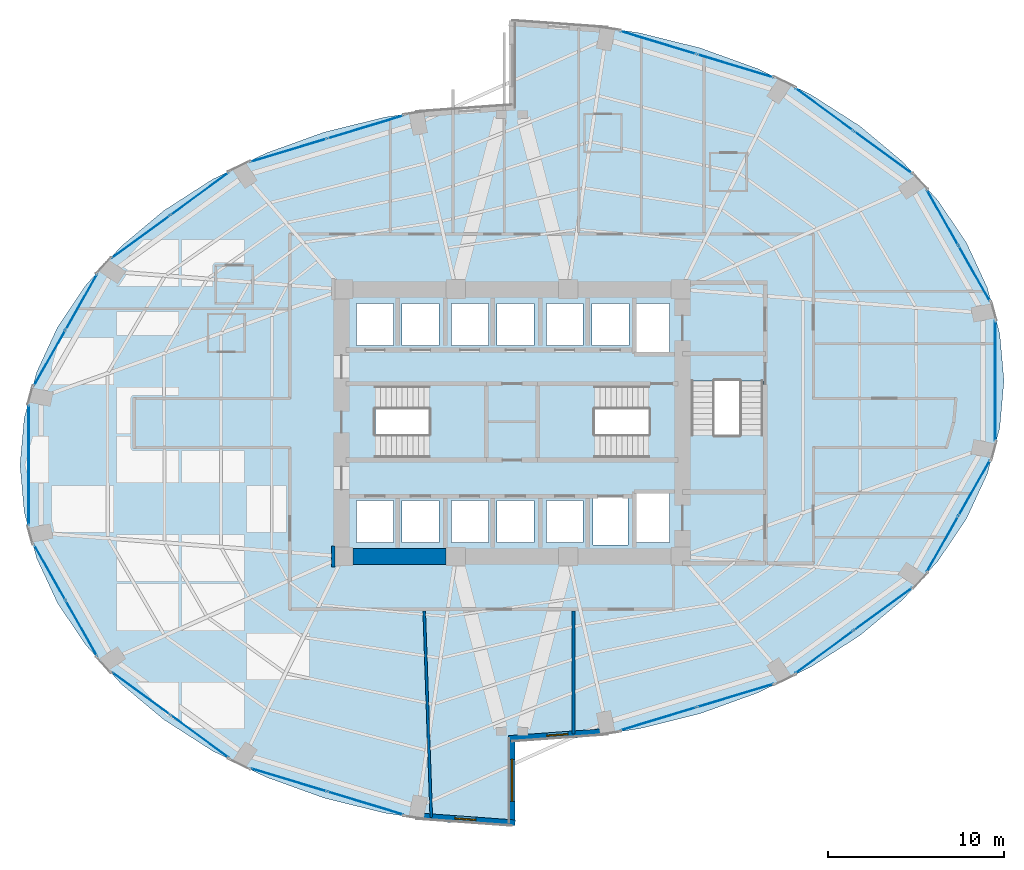
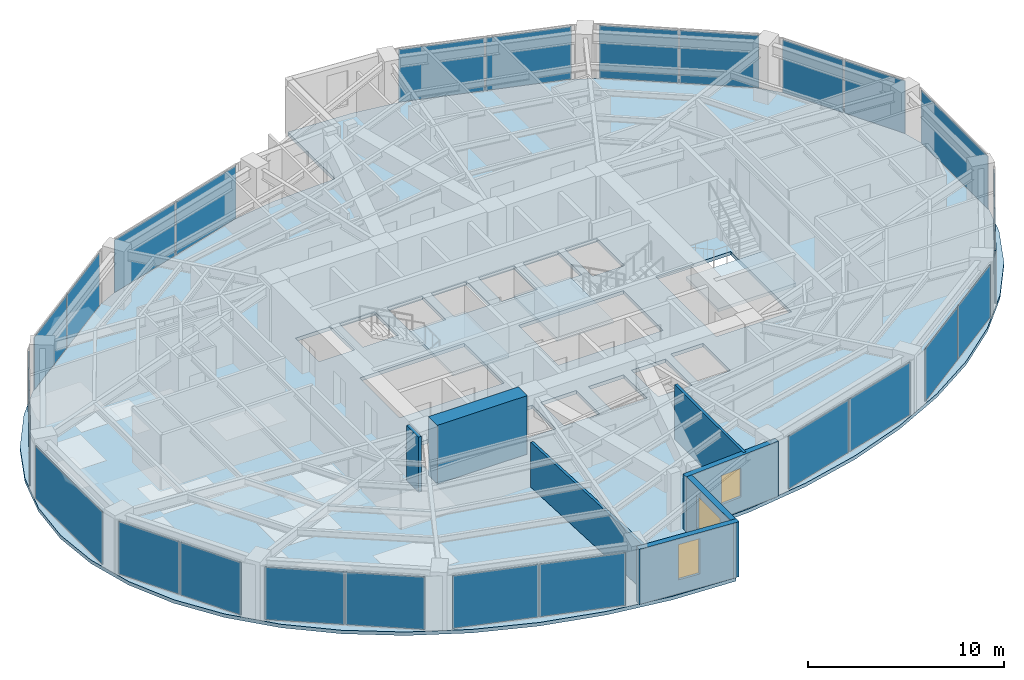
# One storey, part 19 of 24: 26 plates, 7 walls, 4 slabs, 3 windows, 3 openings, 17 elements without a shape of their own.
"""IFC4 building model written with IfcOpenShell, lengths in metres."""

from ifc_helpers import new_model, si_unit, direction, frame, frame_2d, origin, origin_2d, place, context, subcontext, project, spatial, polyline, rectangle, outline, extrude, material, layer, layer_set, type_object, element, fill, aggregate, save


model = new_model("IFC4")

# Units and contexts
model_context = context("Model", 3, precision=1e-05, world=origin(), true_north=direction((0.0, 1.0)))
body_context = subcontext(model_context, "Body", "Model", "MODEL_VIEW")
ifc_project = project(units=[si_unit("LENGTHUNIT", "METRE"), si_unit("AREAUNIT", "SQUARE_METRE"), si_unit("VOLUMEUNIT", "CUBIC_METRE"), si_unit("PLANEANGLEUNIT", "RADIAN"), si_unit("MASSUNIT", "GRAM", prefix="KILO")], contexts=[model_context])

# Site, building, storey
site_placement = place(None, origin())
site = spatial("IfcSite", under=ifc_project, at=site_placement, CompositionType="ELEMENT")
building_placement = place(site_placement, origin())
building = spatial("IfcBuilding", under=site, at=building_placement, Name="Lazwardi Medical Tower", CompositionType="ELEMENT")
storey_placement = place(building_placement, frame((0.0, 0.0, 54.384033203125)))
storey = spatial("IfcBuildingStorey", under=building, at=storey_placement, Name="L13", CompositionType="ELEMENT", Elevation=54.384033203125)

# Curtain wall, plates
ifc_material_1 = material(Name="Anodised bronze aluminium and solar control glazing", Category="aluminium")
ifc_layer_1 = layer(ifc_material_1, 0.199951171875)
ifc_layer_set_1 = layer_set([ifc_layer_1], Name="Anodised bronze aluminium and solar control glazing")
curtain_wall_type = type_object("IfcCurtainWallType", Name="CW-SYS-02", PredefinedType="NOTDEFINED", material=ifc_layer_set_1)
curtain_wall_1_placement = place(storey_placement, origin())
curtain_wall_1 = element("IfcCurtainWall", 1, at=curtain_wall_1_placement, inside=storey, type_object=curtain_wall_type, Name="L13 Unitised bronze curtain wall CW-02", PredefinedType="NOTDEFINED")
ifc_material_2 = material(Name="Low-e bronze solar control double glazing", Category="glass")
ifc_layer_2 = layer(ifc_material_2, 0.035888671875)
ifc_layer_set_2 = layer_set([ifc_layer_2], Name="Low-e bronze solar control double glazing")
plate_type = type_object("IfcPlateType", Name="PLT-GLZ-01", PredefinedType="CURTAIN_PANEL", material=ifc_layer_set_2)
plate_1_placement = place(storey_placement, frame((44.335693359375, 11.158935546875, 0.07470703125), z_axis=(0.0, 0.0, 1.0), x_axis=(0.957058247129, 0.2898956909, 0.0)))
plate_1 = element("IfcPlate", 2, at=plate_1_placement, type_object=plate_type, Name="CW-02 panel 1.1", PredefinedType="CURTAIN_PANEL", context=body_context, shape_type="SweptSolid", body=[
    extrude(rectangle(XDim=4.49658203125, YDim=0.035888671875, at=origin_2d()), origin(), (0.0, 0.0, 1.0), 3.278076171875),
])
plate_2_placement = place(storey_placement, frame((48.7109375, 12.484130859375, 0.07470703125), z_axis=(0.0, 0.0, 1.0), x_axis=(0.957058247129, 0.2898956909, 0.0)))
plate_2 = element("IfcPlate", 3, at=plate_2_placement, type_object=plate_type, Name="CW-02 panel 2.1", PredefinedType="CURTAIN_PANEL", context=body_context, shape_type="SweptSolid", body=[
    extrude(rectangle(XDim=4.49658203125, YDim=0.035888671875, at=origin_2d()), origin(), (0.0, 0.0, 1.0), 3.278076171875),
])
aggregate(curtain_wall_1, [plate_1, plate_2])

curtain_wall_2_placement = place(storey_placement, origin())
curtain_wall_2 = element("IfcCurtainWall", 4, at=curtain_wall_2_placement, inside=storey, type_object=curtain_wall_type, Name="L13 Unitised bronze curtain wall CW-02", PredefinedType="NOTDEFINED")
plate_3_placement = place(storey_placement, frame((53.771484375, 14.957275390625, 0.07470703125), z_axis=(0.0, 0.0, 1.0), x_axis=(0.807191757663, 0.590289307341, 0.0)))
plate_3 = element("IfcPlate", 5, at=plate_3_placement, type_object=plate_type, Name="CW-02 panel 1.1", PredefinedType="CURTAIN_PANEL", context=body_context, shape_type="SweptSolid", body=[
    extrude(rectangle(XDim=4.070068359375, YDim=0.035888671875, at=origin_2d()), origin(), (0.0, 0.0, 1.0), 3.278076171875),
])
plate_4_placement = place(storey_placement, frame((57.117431640625, 17.404052734375, 0.07470703125), z_axis=(0.0, 0.0, 1.0), x_axis=(0.807191757663, 0.590289307341, 0.0)))
plate_4 = element("IfcPlate", 6, at=plate_4_placement, type_object=plate_type, Name="CW-02 panel 2.1", PredefinedType="CURTAIN_PANEL", context=body_context, shape_type="SweptSolid", body=[
    extrude(rectangle(XDim=4.070068359375, YDim=0.035888671875, at=origin_2d()), origin(), (0.0, 0.0, 1.0), 3.278076171875),
])
aggregate(curtain_wall_2, [plate_3, plate_4])

curtain_wall_3_placement = place(storey_placement, origin())
curtain_wall_3 = element("IfcCurtainWall", 7, at=curtain_wall_3_placement, inside=storey, type_object=curtain_wall_type, Name="L13 Unitised bronze curtain wall CW-02", PredefinedType="NOTDEFINED")
plate_5_placement = place(storey_placement, frame((60.5009765625, 21.10791015625, 0.07470703125), z_axis=(0.0, 0.0, 1.0), x_axis=(0.492854327303, 0.870111838823, 0.0)))
plate_5 = element("IfcPlate", 8, at=plate_5_placement, type_object=plate_type, Name="CW-02 panel 1.1", PredefinedType="CURTAIN_PANEL", context=body_context, shape_type="SweptSolid", body=[
    extrude(rectangle(XDim=3.5947265625, YDim=0.035888671875, at=origin_2d()), origin(), (0.0, 0.0, 1.0), 3.278076171875),
])
plate_6_placement = place(storey_placement, frame((62.3095703125, 24.301025390625, 0.07470703125), z_axis=(0.0, 0.0, 1.0), x_axis=(0.492854327303, 0.870111838823, 0.0)))
plate_6 = element("IfcPlate", 9, at=plate_6_placement, type_object=plate_type, Name="CW-02 panel 2.1", PredefinedType="CURTAIN_PANEL", context=body_context, shape_type="SweptSolid", body=[
    extrude(rectangle(XDim=3.5947265625, YDim=0.035888671875, at=origin_2d()), origin(), (0.0, 0.0, 1.0), 3.278076171875),
])
aggregate(curtain_wall_3, [plate_5, plate_6])

# Curtain wall, plate
curtain_wall_4_placement = place(storey_placement, origin())
curtain_wall_4 = element("IfcCurtainWall", 10, at=curtain_wall_4_placement, inside=storey, type_object=curtain_wall_type, Name="L13 Unitised bronze curtain wall CW-02", PredefinedType="NOTDEFINED")
plate_7_placement = place(storey_placement, frame((63.49853515625, 30.39990234375, 0.07470703125), z_axis=(0.0, 0.0, 1.0), x_axis=(0.0, 1.0, 0.0)))
plate_7 = element("IfcPlate", 11, at=plate_7_placement, type_object=plate_type, Name="CW-02 panel 1.1", PredefinedType="CURTAIN_PANEL", context=body_context, shape_type="SweptSolid", body=[
    extrude(rectangle(XDim=6.8330078125, YDim=0.035888671875, at=origin_2d()), origin(), (0.0, 0.0, 1.0), 3.278076171875),
])
aggregate(curtain_wall_4, [plate_7])

# Curtain wall, plates
curtain_wall_5_placement = place(storey_placement, origin())
curtain_wall_5 = element("IfcCurtainWall", 12, at=curtain_wall_5_placement, inside=storey, type_object=curtain_wall_type, Name="L13 Unitised bronze curtain wall CW-02", PredefinedType="NOTDEFINED")
plate_8_placement = place(storey_placement, frame((62.3095703125, 36.498779296875, 0.07470703125), z_axis=(0.0, 0.0, 1.0), x_axis=(-0.492854327303, 0.870111838823, 0.0)))
plate_8 = element("IfcPlate", 13, at=plate_8_placement, type_object=plate_type, Name="CW-02 panel 1.1", PredefinedType="CURTAIN_PANEL", context=body_context, shape_type="SweptSolid", body=[
    extrude(rectangle(XDim=3.5947265625, YDim=0.035888671875, at=origin_2d()), origin(), (0.0, 0.0, 1.0), 3.278076171875),
])
plate_9_placement = place(storey_placement, frame((60.5009765625, 39.69189453125, 0.07470703125), z_axis=(0.0, 0.0, 1.0), x_axis=(-0.492854327303, 0.870111838823, 0.0)))
plate_9 = element("IfcPlate", 14, at=plate_9_placement, type_object=plate_type, Name="CW-02 panel 2.1", PredefinedType="CURTAIN_PANEL", context=body_context, shape_type="SweptSolid", body=[
    extrude(rectangle(XDim=3.5947265625, YDim=0.035888671875, at=origin_2d()), origin(), (0.0, 0.0, 1.0), 3.278076171875),
])
aggregate(curtain_wall_5, [plate_8, plate_9])

curtain_wall_6_placement = place(storey_placement, origin())
curtain_wall_6 = element("IfcCurtainWall", 15, at=curtain_wall_6_placement, inside=storey, type_object=curtain_wall_type, Name="L13 Unitised bronze curtain wall CW-02", PredefinedType="NOTDEFINED")
plate_10_placement = place(storey_placement, frame((57.117431640625, 43.39599609375, 0.07470703125), z_axis=(0.0, 0.0, 1.0), x_axis=(-0.807191757663, 0.590289307341, 0.0)))
plate_10 = element("IfcPlate", 16, at=plate_10_placement, type_object=plate_type, Name="CW-02 panel 1.1", PredefinedType="CURTAIN_PANEL", context=body_context, shape_type="SweptSolid", body=[
    extrude(rectangle(XDim=4.070068359375, YDim=0.035888671875, at=origin_2d()), origin(), (0.0, 0.0, 1.0), 3.278076171875),
])
plate_11_placement = place(storey_placement, frame((53.771484375, 45.8427734375, 0.07470703125), z_axis=(0.0, 0.0, 1.0), x_axis=(-0.807191757663, 0.590289307341, 0.0)))
plate_11 = element("IfcPlate", 17, at=plate_11_placement, type_object=plate_type, Name="CW-02 panel 2.1", PredefinedType="CURTAIN_PANEL", context=body_context, shape_type="SweptSolid", body=[
    extrude(rectangle(XDim=4.070068359375, YDim=0.035888671875, at=origin_2d()), origin(), (0.0, 0.0, 1.0), 3.278076171875),
])
aggregate(curtain_wall_6, [plate_10, plate_11])

curtain_wall_7_placement = place(storey_placement, origin())
curtain_wall_7 = element("IfcCurtainWall", 18, at=curtain_wall_7_placement, inside=storey, type_object=curtain_wall_type, Name="L13 Unitised bronze curtain wall CW-02", PredefinedType="NOTDEFINED")
plate_12_placement = place(storey_placement, frame((48.7109375, 48.31591796875, 0.07470703125), z_axis=(0.0, 0.0, 1.0), x_axis=(-0.957058247129, 0.2898956909, 0.0)))
plate_12 = element("IfcPlate", 19, at=plate_12_placement, type_object=plate_type, Name="CW-02 panel 1.1", PredefinedType="CURTAIN_PANEL", context=body_context, shape_type="SweptSolid", body=[
    extrude(rectangle(XDim=4.49658203125, YDim=0.035888671875, at=origin_2d()), origin(), (0.0, 0.0, 1.0), 3.278076171875),
])
plate_13_placement = place(storey_placement, frame((44.335693359375, 49.64111328125, 0.07470703125), z_axis=(0.0, 0.0, 1.0), x_axis=(-0.957058247129, 0.2898956909, 0.0)))
plate_13 = element("IfcPlate", 20, at=plate_13_placement, type_object=plate_type, Name="CW-02 panel 2.1", PredefinedType="CURTAIN_PANEL", context=body_context, shape_type="SweptSolid", body=[
    extrude(rectangle(XDim=4.49658203125, YDim=0.035888671875, at=origin_2d()), origin(), (0.0, 0.0, 1.0), 3.278076171875),
])
aggregate(curtain_wall_7, [plate_12, plate_13])

curtain_wall_8_placement = place(storey_placement, origin())
curtain_wall_8 = element("IfcCurtainWall", 21, at=curtain_wall_8_placement, inside=storey, type_object=curtain_wall_type, Name="L13 Unitised bronze curtain wall CW-02", PredefinedType="NOTDEFINED")
plate_14_placement = place(storey_placement, frame((27.664306640625, 44.841064453125, 0.07470703125), z_axis=(0.0, 0.0, 1.0), x_axis=(-0.957058247129, -0.2898956909, 0.0)))
plate_14 = element("IfcPlate", 22, at=plate_14_placement, type_object=plate_type, Name="CW-02 panel 1.1", PredefinedType="CURTAIN_PANEL", context=body_context, shape_type="SweptSolid", body=[
    extrude(rectangle(XDim=4.49658203125, YDim=0.035888671875, at=origin_2d()), origin(), (0.0, 0.0, 1.0), 3.278076171875),
])
plate_15_placement = place(storey_placement, frame((23.2890625, 43.515869140625, 0.07470703125), z_axis=(0.0, 0.0, 1.0), x_axis=(-0.957058247129, -0.2898956909, 0.0)))
plate_15 = element("IfcPlate", 23, at=plate_15_placement, type_object=plate_type, Name="CW-02 panel 2.1", PredefinedType="CURTAIN_PANEL", context=body_context, shape_type="SweptSolid", body=[
    extrude(rectangle(XDim=4.49658203125, YDim=0.035888671875, at=origin_2d()), origin(), (0.0, 0.0, 1.0), 3.278076171875),
])
aggregate(curtain_wall_8, [plate_14, plate_15])

curtain_wall_9_placement = place(storey_placement, origin())
curtain_wall_9 = element("IfcCurtainWall", 24, at=curtain_wall_9_placement, inside=storey, type_object=curtain_wall_type, Name="L13 Unitised bronze curtain wall CW-02", PredefinedType="NOTDEFINED")
plate_16_placement = place(storey_placement, frame((18.228515625, 41.042724609375, 0.07470703125), z_axis=(0.0, 0.0, 1.0), x_axis=(-0.807191757663, -0.590289307341, 0.0)))
plate_16 = element("IfcPlate", 25, at=plate_16_placement, type_object=plate_type, Name="CW-02 panel 1.1", PredefinedType="CURTAIN_PANEL", context=body_context, shape_type="SweptSolid", body=[
    extrude(rectangle(XDim=4.070068359375, YDim=0.035888671875, at=origin_2d()), origin(), (0.0, 0.0, 1.0), 3.278076171875),
])
plate_17_placement = place(storey_placement, frame((14.882568359375, 38.595947265625, 0.07470703125), z_axis=(0.0, 0.0, 1.0), x_axis=(-0.807191757663, -0.590289307341, 0.0)))
plate_17 = element("IfcPlate", 26, at=plate_17_placement, type_object=plate_type, Name="CW-02 panel 2.1", PredefinedType="CURTAIN_PANEL", context=body_context, shape_type="SweptSolid", body=[
    extrude(rectangle(XDim=4.070068359375, YDim=0.035888671875, at=origin_2d()), origin(), (0.0, 0.0, 1.0), 3.278076171875),
])
aggregate(curtain_wall_9, [plate_16, plate_17])

curtain_wall_10_placement = place(storey_placement, origin())
curtain_wall_10 = element("IfcCurtainWall", 27, at=curtain_wall_10_placement, inside=storey, type_object=curtain_wall_type, Name="L13 Unitised bronze curtain wall CW-02", PredefinedType="NOTDEFINED")
plate_18_placement = place(storey_placement, frame((11.4990234375, 34.89208984375, 0.07470703125), z_axis=(0.0, 0.0, 1.0), x_axis=(-0.492854327303, -0.870111838823, 0.0)))
plate_18 = element("IfcPlate", 28, at=plate_18_placement, type_object=plate_type, Name="CW-02 panel 1.1", PredefinedType="CURTAIN_PANEL", context=body_context, shape_type="SweptSolid", body=[
    extrude(rectangle(XDim=3.5947265625, YDim=0.035888671875, at=origin_2d()), origin(), (0.0, 0.0, 1.0), 3.278076171875),
])
plate_19_placement = place(storey_placement, frame((9.6904296875, 31.698974609375, 0.07470703125), z_axis=(0.0, 0.0, 1.0), x_axis=(-0.492854327303, -0.870111838823, 0.0)))
plate_19 = element("IfcPlate", 29, at=plate_19_placement, type_object=plate_type, Name="CW-02 panel 2.1", PredefinedType="CURTAIN_PANEL", context=body_context, shape_type="SweptSolid", body=[
    extrude(rectangle(XDim=3.5947265625, YDim=0.035888671875, at=origin_2d()), origin(), (0.0, 0.0, 1.0), 3.278076171875),
])
aggregate(curtain_wall_10, [plate_18, plate_19])

# Curtain wall, plate
curtain_wall_11_placement = place(storey_placement, origin())
curtain_wall_11 = element("IfcCurtainWall", 30, at=curtain_wall_11_placement, inside=storey, type_object=curtain_wall_type, Name="L13 Unitised bronze curtain wall CW-02", PredefinedType="NOTDEFINED")
plate_20_placement = place(storey_placement, frame((8.50146484375, 25.60009765625, 0.07470703125), z_axis=(0.0, 0.0, 1.0), x_axis=(0.0, -1.0, 0.0)))
plate_20 = element("IfcPlate", 31, at=plate_20_placement, type_object=plate_type, Name="CW-02 panel 1.1", PredefinedType="CURTAIN_PANEL", context=body_context, shape_type="SweptSolid", body=[
    extrude(rectangle(XDim=6.8330078125, YDim=0.035888671875, at=origin_2d()), origin(), (0.0, 0.0, 1.0), 3.278076171875),
])
aggregate(curtain_wall_11, [plate_20])

# Curtain wall, plates
curtain_wall_12_placement = place(storey_placement, origin())
curtain_wall_12 = element("IfcCurtainWall", 32, at=curtain_wall_12_placement, inside=storey, type_object=curtain_wall_type, Name="L13 Unitised bronze curtain wall CW-02", PredefinedType="NOTDEFINED")
plate_21_placement = place(storey_placement, frame((9.6904296875, 19.501220703125, 0.07470703125), z_axis=(0.0, 0.0, 1.0), x_axis=(0.492854327303, -0.870111838823, 0.0)))
plate_21 = element("IfcPlate", 33, at=plate_21_placement, type_object=plate_type, Name="CW-02 panel 1.1", PredefinedType="CURTAIN_PANEL", context=body_context, shape_type="SweptSolid", body=[
    extrude(rectangle(XDim=3.5947265625, YDim=0.035888671875, at=origin_2d()), origin(), (0.0, 0.0, 1.0), 3.278076171875),
])
plate_22_placement = place(storey_placement, frame((11.4990234375, 16.30810546875, 0.07470703125), z_axis=(0.0, 0.0, 1.0), x_axis=(0.492854327303, -0.870111838823, 0.0)))
plate_22 = element("IfcPlate", 34, at=plate_22_placement, type_object=plate_type, Name="CW-02 panel 2.1", PredefinedType="CURTAIN_PANEL", context=body_context, shape_type="SweptSolid", body=[
    extrude(rectangle(XDim=3.5947265625, YDim=0.035888671875, at=origin_2d()), origin(), (0.0, 0.0, 1.0), 3.278076171875),
])
aggregate(curtain_wall_12, [plate_21, plate_22])

curtain_wall_13_placement = place(storey_placement, origin())
curtain_wall_13 = element("IfcCurtainWall", 35, at=curtain_wall_13_placement, inside=storey, type_object=curtain_wall_type, Name="L13 Unitised bronze curtain wall CW-02", PredefinedType="NOTDEFINED")
plate_23_placement = place(storey_placement, frame((14.882568359375, 12.60400390625, 0.07470703125), z_axis=(0.0, 0.0, 1.0), x_axis=(0.807191757663, -0.590289307341, 0.0)))
plate_23 = element("IfcPlate", 36, at=plate_23_placement, type_object=plate_type, Name="CW-02 panel 1.1", PredefinedType="CURTAIN_PANEL", context=body_context, shape_type="SweptSolid", body=[
    extrude(rectangle(XDim=4.070068359375, YDim=0.035888671875, at=origin_2d()), origin(), (0.0, 0.0, 1.0), 3.278076171875),
])
plate_24_placement = place(storey_placement, frame((18.228515625, 10.1572265625, 0.07470703125), z_axis=(0.0, 0.0, 1.0), x_axis=(0.807191757663, -0.590289307341, 0.0)))
plate_24 = element("IfcPlate", 37, at=plate_24_placement, type_object=plate_type, Name="CW-02 panel 2.1", PredefinedType="CURTAIN_PANEL", context=body_context, shape_type="SweptSolid", body=[
    extrude(rectangle(XDim=4.070068359375, YDim=0.035888671875, at=origin_2d()), origin(), (0.0, 0.0, 1.0), 3.278076171875),
])
aggregate(curtain_wall_13, [plate_23, plate_24])

curtain_wall_14_placement = place(storey_placement, origin())
curtain_wall_14 = element("IfcCurtainWall", 38, at=curtain_wall_14_placement, inside=storey, type_object=curtain_wall_type, Name="L13 Unitised bronze curtain wall CW-02", PredefinedType="NOTDEFINED")
plate_25_placement = place(storey_placement, frame((23.2890625, 7.68408203125, 0.07470703125), z_axis=(0.0, 0.0, 1.0), x_axis=(0.957058247129, -0.2898956909, 0.0)))
plate_25 = element("IfcPlate", 39, at=plate_25_placement, type_object=plate_type, Name="CW-02 panel 1.1", PredefinedType="CURTAIN_PANEL", context=body_context, shape_type="SweptSolid", body=[
    extrude(rectangle(XDim=4.49658203125, YDim=0.035888671875, at=origin_2d()), origin(), (0.0, 0.0, 1.0), 3.278076171875),
])
plate_26_placement = place(storey_placement, frame((27.664306640625, 6.35888671875, 0.07470703125), z_axis=(0.0, 0.0, 1.0), x_axis=(0.957058247129, -0.2898956909, 0.0)))
plate_26 = element("IfcPlate", 40, at=plate_26_placement, type_object=plate_type, Name="CW-02 panel 2.1", PredefinedType="CURTAIN_PANEL", context=body_context, shape_type="SweptSolid", body=[
    extrude(rectangle(XDim=4.49658203125, YDim=0.035888671875, at=origin_2d()), origin(), (0.0, 0.0, 1.0), 3.278076171875),
])
aggregate(curtain_wall_14, [plate_25, plate_26])

# Stair, slab
ifc_material_3 = material(Name="Concrete C45/55", Category="concrete")
stair_type = type_object("IfcStairType", Name="STR-WRD", PredefinedType="HALF_TURN_STAIR", material=ifc_material_3)
stair_1_placement = place(storey_placement, origin())
stair_1 = element("IfcStair", 41, at=stair_1_placement, inside=storey, type_object=stair_type, Name="L13 Protected Exit Stair ST1", PredefinedType="HALF_TURN_STAIR")
ifc_layer_3 = layer(ifc_material_3, 0.199951171875)
ifc_layer_set_3 = layer_set([ifc_layer_3], Name="Concrete C45/55")
slab_type_1 = type_object("IfcSlabType", Name="SLB-LND-190", PredefinedType="LANDING", material=ifc_layer_set_3)
slab_1_placement = place(storey_placement, frame((0.0, 0.0, 1.6240234375)))
slab_1 = element("IfcSlab", 42, at=slab_1_placement, type_object=slab_type_1, Name="ST1 landing 1", PredefinedType="LANDING", context=body_context, shape_type="SweptSolid", body=[
    extrude(outline(polyline([(31.27490234375, 25.840087890625), (34.580078125, 25.840087890625), (34.580078125, 30.280029296875), (31.27490234375, 30.280029296875), (31.27490234375, 25.840087890625)])), origin(), (0.0, 0.0, 1.0), 0.199951171875),
])
aggregate(stair_1, [slab_1])

stair_2_placement = place(storey_placement, origin())
stair_2 = element("IfcStair", 43, at=stair_2_placement, inside=storey, type_object=stair_type, Name="L13 Protected Exit Stair ST2", PredefinedType="HALF_TURN_STAIR")
slab_2_placement = place(storey_placement, frame((0.0, 0.0, 1.6240234375)))
slab_2 = element("IfcSlab", 44, at=slab_2_placement, type_object=slab_type_1, Name="ST2 landing 1", PredefinedType="LANDING", context=body_context, shape_type="SweptSolid", body=[
    extrude(outline(polyline([(40.72509765625, 30.280029296875), (37.419921875, 30.280029296875), (37.419921875, 25.840087890625), (40.72509765625, 25.840087890625), (40.72509765625, 30.280029296875)])), origin(), (0.0, 0.0, 1.0), 0.199951171875),
])
aggregate(stair_2, [slab_2])

stair_3_placement = place(storey_placement, origin())
stair_3 = element("IfcStair", 45, at=stair_3_placement, inside=storey, type_object=stair_type, Name="L13 Protected Exit Stair ST3", PredefinedType="HALF_TURN_STAIR")
slab_3_placement = place(storey_placement, frame((0.0, 0.0, 1.6240234375)))
slab_3 = element("IfcSlab", 46, at=slab_3_placement, type_object=slab_type_1, Name="ST3 landing 1", PredefinedType="LANDING", context=body_context, shape_type="SweptSolid", body=[
    extrude(outline(polyline([(45.860107421875, 27.324951171875), (45.860107421875, 24.02001953125), (50.4599609375, 24.02001953125), (50.4599609375, 27.324951171875), (45.860107421875, 27.324951171875)])), origin(), (0.0, 0.0, 1.0), 0.199951171875),
])
aggregate(stair_3, [slab_3])

# Slab
ifc_material_4 = material(Name="Concrete C50/60", Category="concrete")
ifc_layer_4 = layer(ifc_material_4, 0.219970703125)
ifc_layer_set_4 = layer_set([ifc_layer_4], Name="Concrete C50/60")
slab_type_2 = type_object("IfcSlabType", Name="SLB-WRD-220", PredefinedType="FLOOR", material=ifc_layer_set_4)
slab_4_placement = place(storey_placement, frame((0.0, 0.0, -0.219970703125)))
element("IfcSlab", 47, at=slab_4_placement, inside=storey, type_object=slab_type_2, Name="Structural floor slab SF-03 L13", PredefinedType="FLOOR", context=body_context, shape_type="SweptSolid", body=[
    extrude(outline(polyline([(10.13134765625, 33.445068359375), (8.9541015625, 30.90576171875), (8.239501953125, 28.27587890625), (8.0, 25.60009765625), (8.239501953125, 22.92431640625), (8.9541015625, 20.294189453125), (10.13134765625, 17.7548828125), (11.751220703125, 15.35009765625), (13.7861328125, 13.120361328125), (16.200927734375, 11.104248046875), (18.95458984375, 9.336181640625), (22.0, 7.846435546875), (25.284912109375, 6.660400390625), (28.753173828125, 5.798583984375), (32.34521484375, 5.275390625), (36.0, 5.10009765625), (36.0, 9.89990234375), (39.65478515625, 10.075439453125), (43.246826171875, 10.598388671875), (46.715087890625, 11.46044921875), (50.0, 12.646484375), (53.04541015625, 14.13623046875), (55.799072265625, 15.904296875), (58.2138671875, 17.92041015625), (60.248779296875, 20.14990234375), (61.86865234375, 22.554931640625), (63.0458984375, 25.09423828125), (63.760498046875, 27.72412109375), (64.0, 30.39990234375), (63.760498046875, 33.07568359375), (63.0458984375, 35.705810546875), (61.86865234375, 38.2451171875), (60.248779296875, 40.64990234375), (58.2138671875, 42.879638671875), (55.799072265625, 44.895751953125), (53.04541015625, 46.663818359375), (50.0, 48.153564453125), (46.715087890625, 49.339599609375), (43.246826171875, 50.201416015625), (39.65478515625, 50.724609375), (36.0, 50.89990234375), (36.0, 46.10009765625), (32.34521484375, 45.924560546875), (28.753173828125, 45.401611328125), (25.284912109375, 44.53955078125), (22.0, 43.353515625), (18.95458984375, 41.86376953125), (16.200927734375, 40.095703125), (13.7861328125, 38.07958984375), (11.751220703125, 35.85009765625), (10.13134765625, 33.445068359375)]), holes=[polyline([(28.22509765625, 26.02001953125), (28.22509765625, 30.10009765625), (34.39990234375, 30.10009765625), (34.39990234375, 26.02001953125), (28.22509765625, 26.02001953125)]), polyline([(37.60009765625, 30.10009765625), (43.77490234375, 30.10009765625), (43.77490234375, 26.02001953125), (37.60009765625, 26.02001953125), (37.60009765625, 30.10009765625)]), polyline([(50.280029296875, 30.375), (50.280029296875, 24.179931640625), (45.840087890625, 24.179931640625), (45.840087890625, 30.375), (50.280029296875, 30.375)]), polyline([(29.25, 32.39990234375), (27.14990234375, 32.39990234375), (27.14990234375, 34.800048828125), (29.25, 34.800048828125), (29.25, 32.39990234375)]), polyline([(29.75, 32.39990234375), (29.75, 34.800048828125), (31.85009765625, 34.800048828125), (31.85009765625, 32.39990234375), (29.75, 32.39990234375)]), polyline([(27.14990234375, 23.60009765625), (29.25, 23.60009765625), (29.25, 21.199951171875), (27.14990234375, 21.199951171875), (27.14990234375, 23.60009765625)]), polyline([(31.85009765625, 23.60009765625), (31.85009765625, 21.199951171875), (29.75, 21.199951171875), (29.75, 23.60009765625), (31.85009765625, 23.60009765625)]), polyline([(34.64990234375, 32.39990234375), (32.550048828125, 32.39990234375), (32.550048828125, 34.800048828125), (34.64990234375, 34.800048828125), (34.64990234375, 32.39990234375)]), polyline([(35.14990234375, 32.39990234375), (35.14990234375, 34.800048828125), (37.25, 34.800048828125), (37.25, 32.39990234375), (35.14990234375, 32.39990234375)]), polyline([(32.550048828125, 23.60009765625), (34.64990234375, 23.60009765625), (34.64990234375, 21.199951171875), (32.550048828125, 21.199951171875), (32.550048828125, 23.60009765625)]), polyline([(37.25, 23.60009765625), (37.25, 21.199951171875), (35.14990234375, 21.199951171875), (35.14990234375, 23.60009765625), (37.25, 23.60009765625)]), polyline([(40.050048828125, 32.39990234375), (37.949951171875, 32.39990234375), (37.949951171875, 34.800048828125), (40.050048828125, 34.800048828125), (40.050048828125, 32.39990234375)]), polyline([(40.550048828125, 32.39990234375), (40.550048828125, 34.800048828125), (42.64990234375, 34.800048828125), (42.64990234375, 32.39990234375), (40.550048828125, 32.39990234375)]), polyline([(37.949951171875, 23.60009765625), (40.050048828125, 23.60009765625), (40.050048828125, 21.199951171875), (37.949951171875, 21.199951171875), (37.949951171875, 23.60009765625)]), polyline([(44.949951171875, 34.800048828125), (44.949951171875, 32.0), (43.050048828125, 32.0), (43.050048828125, 34.800048828125), (44.949951171875, 34.800048828125)]), polyline([(44.949951171875, 21.199951171875), (43.050048828125, 21.199951171875), (43.050048828125, 24.0), (44.949951171875, 24.0), (44.949951171875, 21.199951171875)]), polyline([(40.60009765625, 21.050048828125), (40.60009765625, 23.75), (42.60009765625, 23.75), (42.60009765625, 21.050048828125), (40.60009765625, 21.050048828125)])]), origin(), (0.0, 0.0, 1.0), 0.219970703125),
])

# Walls
ifc_material_5 = material(Name="Fire-rated gypsum board on steel stud", Category="steel")
ifc_layer_5 = layer(ifc_material_5, 0.179931640625)
ifc_layer_set_5 = layer_set([ifc_layer_5], Name="Fire-rated gypsum board on steel stud")
wall_type_1 = type_object("IfcWallType", Name="WL-COR-180", PredefinedType="PARTITIONING", material=ifc_layer_set_5)
wall_1_placement = place(storey_placement, frame((25.830078125, 21.010009765625, 0.0), z_axis=(0.0, 0.0, 1.0), x_axis=(0.0, -1.0, 0.0)))
element("IfcWall", 48, at=wall_1_placement, inside=storey, type_object=wall_type_1, Name="L13 Corridor partition 13", PredefinedType="PARTITIONING", context=body_context, shape_type="SweptSolid", body=[
    extrude(rectangle(XDim=1.219970703125, YDim=0.179931640625, at=frame_2d((0.60986328125, 0.0))), origin(), (0.0, 0.0, 1.0), 3.427978515625),
])
ifc_material_6 = material(Name="Concrete C80/95", Category="concrete")
ifc_layer_6 = layer(ifc_material_6, 0.89990234375)
ifc_layer_set_6 = layer_set([ifc_layer_6], Name="Concrete C80/95")
wall_type_2 = type_object("IfcWallType", Name="WL-CORE-900", PredefinedType="SHEAR", material=ifc_layer_set_6)
wall_2_placement = place(storey_placement, frame((26.949951171875, 20.39990234375, 0.0), z_axis=(0.0, 0.0, 1.0), x_axis=(1.0, 0.0, 0.0)))
element("IfcWall", 49, at=wall_2_placement, inside=storey, type_object=wall_type_2, Name="Core wall CW-S1 S1 L13", PredefinedType="SHEAR", context=body_context, shape_type="SweptSolid", body=[
    extrude(rectangle(XDim=5.300048828125, YDim=0.89990234375, at=frame_2d((2.64990234375, 0.0))), origin(), (0.0, 0.0, 1.0), 3.64794921875),
])

# Wall, opening, window
ifc_material_7 = material(Name="Precast concrete C45/55", Category="concrete")
ifc_layer_7 = layer(ifc_material_7, 0.320068359375)
ifc_layer_set_7 = layer_set([ifc_layer_7], Name="Precast concrete C45/55")
wall_type_3 = type_object("IfcWallType", Name="WL-IWAN-320", PredefinedType="SOLIDWALL", material=ifc_layer_set_7)
wall_3_placement = place(storey_placement, frame((35.820556640625, 10.047119140625, 0.0), z_axis=(0.0, 0.0, 1.0), x_axis=(0.997422321809, 0.071754525696, 0.0)))
wall_3 = element("IfcWall", 50, at=wall_3_placement, inside=storey, type_object=wall_type_3, Name="L13 Iwan Portal Return Wall SE_ret", PredefinedType="SOLIDWALL", context=body_context, shape_type="SweptSolid", body=[
    extrude(rectangle(XDim=5.67529296875, YDim=0.320068359375, at=frame_2d((2.837646484375, 0.0))), origin(), (0.0, 0.0, 1.0), 3.427978515625),
])
opening_1_placement = place(wall_3_placement, frame((2.173828125, 0.0, 0.85009765625)))
opening_1 = element("IfcOpeningElement", 51, at=opening_1_placement, cuts=wall_3, Name="Opening WN-04", PredefinedType="OPENING", context=body_context, shape_type="SweptSolid", body=[
    extrude(rectangle(XDim=1.199951171875, YDim=1.800048828125, at=frame_2d((0.60009765625, 0.89990234375))), frame((0.0, 0.169921875, 0.0), z_axis=(0.0, -1.0, 0.0), x_axis=(1.0, 0.0, 0.0)), (0.0, 0.0, 1.0), 0.340087890625),
])
window_type_1 = type_object("IfcWindowType", Name="WIN-DRUM-1200", PartitioningType="SINGLE_PANEL", PredefinedType="WINDOW", material=ifc_material_2)
window_1_placement = place(opening_1_placement, origin())
window_1 = element("IfcWindow", 52, at=window_1_placement, inside=storey, type_object=window_type_1, Name="L13 Iwan Slot Window SE_ret", OverallHeight=1.800048828125, OverallWidth=1.199951171875, PartitioningType="SINGLE_PANEL", PredefinedType="WINDOW", context=body_context, shape_type="SweptSolid", body=[
    extrude(rectangle(XDim=1.199951171875, YDim=1.800048828125, at=frame_2d((0.60009765625, 0.89990234375))), frame((0.0, 0.030029296875, 0.0), z_axis=(0.0, -1.0, 0.0), x_axis=(1.0, 0.0, 0.0)), (0.0, 0.0, 1.0), 0.06005859375),
])
fill(opening_1, window_1)

wall_4_placement = place(storey_placement, frame((30.518798828125, 5.654296875, 0.0), z_axis=(0.0, 0.0, 1.0), x_axis=(0.997421878774, -0.071760683825, 0.0)))
wall_4 = element("IfcWall", 53, at=wall_4_placement, inside=storey, type_object=wall_type_3, Name="L13 Iwan Portal Return Wall SW_ret", PredefinedType="SOLIDWALL", context=body_context, shape_type="SweptSolid", body=[
    extrude(rectangle(XDim=5.6748046875, YDim=0.320068359375, at=frame_2d((2.83740234375, 0.0))), origin(), (0.0, 0.0, 1.0), 3.427978515625),
])
opening_2_placement = place(wall_4_placement, frame((2.2373046875, 0.0, 0.85009765625)))
opening_2 = element("IfcOpeningElement", 54, at=opening_2_placement, cuts=wall_4, Name="Opening WN-01", PredefinedType="OPENING", context=body_context, shape_type="SweptSolid", body=[
    extrude(rectangle(XDim=1.199951171875, YDim=2.199951171875, at=frame_2d((0.60009765625, 1.10009765625))), frame((0.0, 0.169921875, 0.0), z_axis=(0.0, -1.0, 0.0), x_axis=(1.0, 0.0, 0.0)), (0.0, 0.0, 1.0), 0.340087890625),
])
window_type_2 = type_object("IfcWindowType", Name="WIN-IW-1200", PartitioningType="SINGLE_PANEL", PredefinedType="WINDOW", material=ifc_material_2)
window_2_placement = place(opening_2_placement, origin())
window_2 = element("IfcWindow", 55, at=window_2_placement, inside=storey, type_object=window_type_2, Name="L13 Iwan Slot Window SW_ret", OverallHeight=2.199951171875, OverallWidth=1.199951171875, PartitioningType="SINGLE_PANEL", PredefinedType="WINDOW", context=body_context, shape_type="SweptSolid", body=[
    extrude(rectangle(XDim=1.199951171875, YDim=2.199951171875, at=frame_2d((0.60009765625, 1.10009765625))), frame((0.0, 0.030029296875, 0.0), z_axis=(0.0, -1.0, 0.0), x_axis=(1.0, 0.0, 0.0)), (0.0, 0.0, 1.0), 0.06005859375),
])
fill(opening_2, window_2)

wall_5_placement = place(storey_placement, frame((36.0, 5.10009765625, 0.0), z_axis=(0.0, 0.0, 1.0), x_axis=(0.0, 1.0, 0.0)))
wall_5 = element("IfcWall", 56, at=wall_5_placement, inside=storey, type_object=wall_type_3, Name="L13 Turquoise Tilework Iwan Seam Wall S_seam", PredefinedType="SOLIDWALL", context=body_context, shape_type="SweptSolid", body=[
    extrude(rectangle(XDim=5.119873046875, YDim=0.320068359375, at=frame_2d((2.56005859375, 0.0))), origin(), (0.0, 0.0, 1.0), 3.427978515625),
])
opening_3_placement = place(wall_5_placement, frame((1.360107421875, 0.0, 0.840087890625)))
opening_3 = element("IfcOpeningElement", 57, at=opening_3_placement, cuts=wall_5, Name="Opening WN-02", PredefinedType="OPENING", context=body_context, shape_type="SweptSolid", body=[
    extrude(rectangle(XDim=2.39990234375, YDim=2.0400390625, at=frame_2d((1.199951171875, 1.02001953125))), frame((0.0, 0.169921875, 0.0), z_axis=(0.0, -1.0, 0.0), x_axis=(1.0, 0.0, 0.0)), (0.0, 0.0, 1.0), 0.340087890625),
])
window_type_3 = type_object("IfcWindowType", Name="WIN-IW-2400", PartitioningType="SINGLE_PANEL", PredefinedType="WINDOW", material=ifc_material_2)
window_3_placement = place(opening_3_placement, origin())
window_3 = element("IfcWindow", 58, at=window_3_placement, inside=storey, type_object=window_type_3, Name="L13 Iwan Seam Window S_seam", OverallHeight=2.0400390625, OverallWidth=2.39990234375, PartitioningType="SINGLE_PANEL", PredefinedType="WINDOW", context=body_context, shape_type="SweptSolid", body=[
    extrude(rectangle(XDim=2.39990234375, YDim=2.0400390625, at=frame_2d((1.199951171875, 1.02001953125))), frame((0.0, 0.030029296875, 0.0), z_axis=(0.0, -1.0, 0.0), x_axis=(1.0, 0.0, 0.0)), (0.0, 0.0, 1.0), 0.06005859375),
])
fill(opening_3, window_3)

# Walls
ifc_material_8 = material(Name="Acoustic gypsum board partition")
ifc_layer_8 = layer(ifc_material_8, 0.14990234375)
ifc_layer_set_8 = layer_set([ifc_layer_8], Name="Acoustic gypsum board partition")
wall_type_4 = type_object("IfcWallType", Name="WL-WRD-150", PredefinedType="PARTITIONING", material=ifc_layer_set_8)
wall_6_placement = place(storey_placement, frame((31.405029296875, 5.55908203125, 0.0), z_axis=(0.0, 0.0, 1.0), x_axis=(-0.034219123574, 0.9994143543, 0.0)))
element("IfcWall", 59, at=wall_6_placement, inside=storey, type_object=wall_type_4, Name="L13 Room partition 12", PredefinedType="PARTITIONING", context=body_context, shape_type="SweptSolid", body=[
    extrude(rectangle(XDim=11.7578125, YDim=0.14990234375, at=frame_2d((5.87890625, 0.0))), origin(), (0.0, 0.0, 1.0), 2.81298828125),
])
wall_7_placement = place(storey_placement, frame((39.5, 10.3076171875, 0.0), z_axis=(0.0, 0.0, 1.0), x_axis=(0.0, 1.0, 0.0)))
element("IfcWall", 60, at=wall_7_placement, inside=storey, type_object=wall_type_4, Name="L13 Room partition 13", PredefinedType="PARTITIONING", context=body_context, shape_type="SweptSolid", body=[
    extrude(rectangle(XDim=7.00244140625, YDim=0.14990234375, at=frame_2d((3.501220703125, 0.0))), origin(), (0.0, 0.0, 1.0), 3.427978515625),
])

save(model, "model.ifc")
